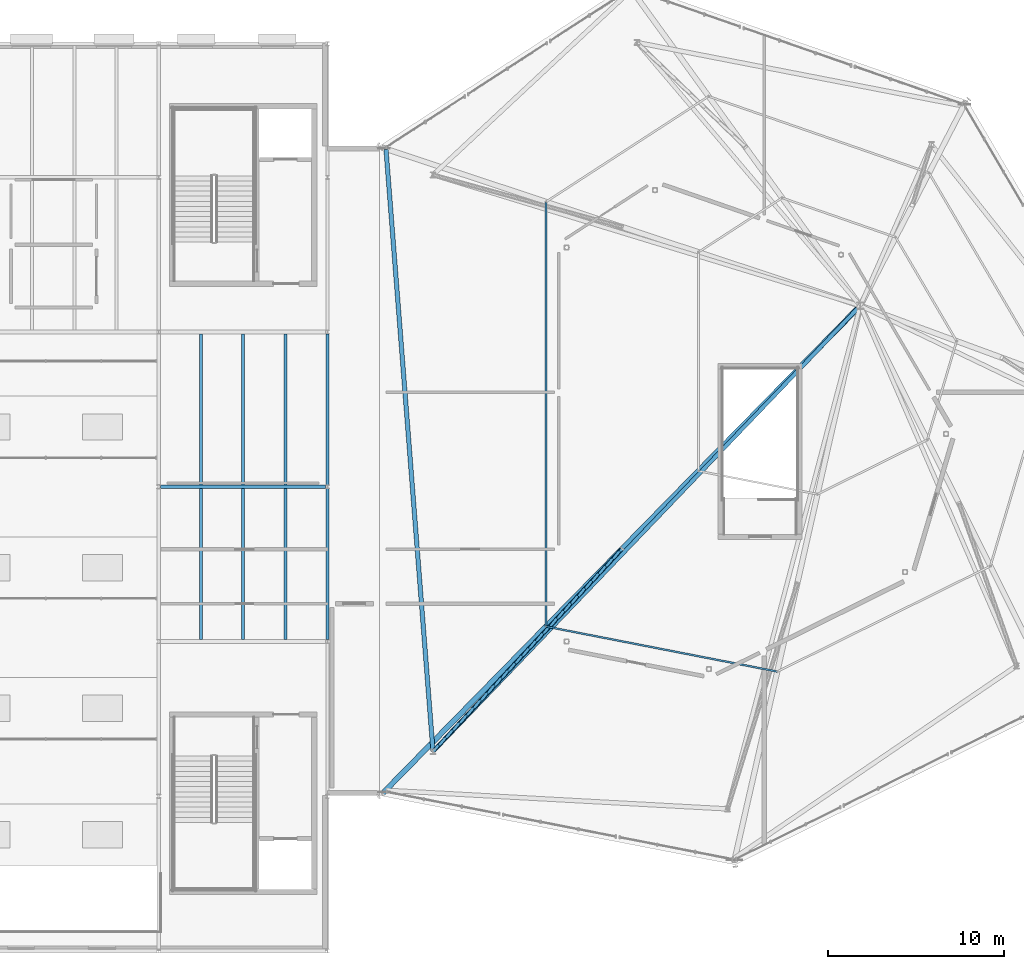
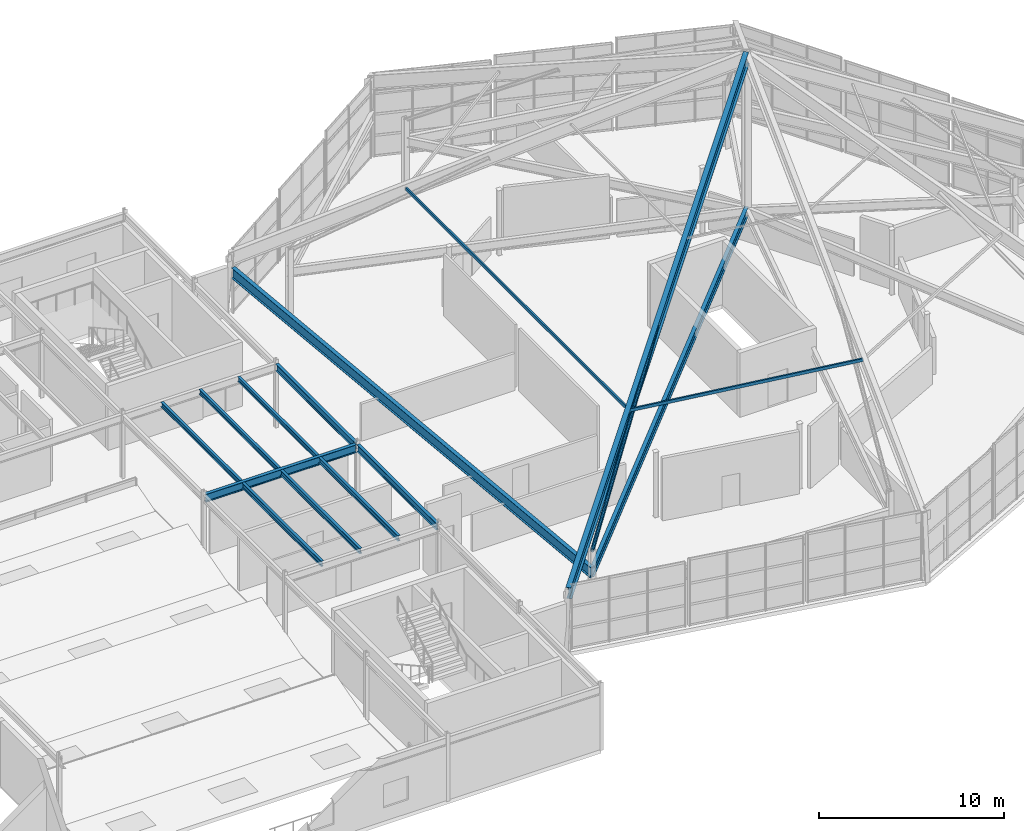
# One storey, part 14 of 50: 12 beams, 3 members.
"""IFC4 building model written with IfcOpenShell, lengths in metres."""

from ifc_helpers import new_model, si_unit, direction, frame, origin, origin_2d, place, context, subcontext, project, spatial, hollow_rectangle, hollow_circle, i_section, extrude, material, material_profile, profile_set, type_object, element, save


model = new_model("IFC4")

# Units and contexts
model_context = context("Model", 3, precision=1e-05, world=origin(), true_north=direction((0.0, 1.0)))
body_context = subcontext(model_context, "Body", "Model", "MODEL_VIEW")
ifc_project = project(units=[si_unit("LENGTHUNIT", "METRE"), si_unit("AREAUNIT", "SQUARE_METRE"), si_unit("VOLUMEUNIT", "CUBIC_METRE"), si_unit("PLANEANGLEUNIT", "RADIAN"), si_unit("MASSUNIT", "GRAM", prefix="KILO")], contexts=[model_context])

# Site, building, storey
site_placement = place(None, origin())
site = spatial("IfcSite", under=ifc_project, at=site_placement, CompositionType="ELEMENT")
building_placement = place(site_placement, origin())
building = spatial("IfcBuilding", under=site, at=building_placement, Name="Sarnbrook Museum", CompositionType="ELEMENT")
storey_placement = place(building_placement, frame((0.0, 0.0, 28.10009765625)))
storey = spatial("IfcBuildingStorey", under=building, at=storey_placement, Name="L05", CompositionType="ELEMENT", Elevation=28.10009765625)

# Beams
ifc_material_1 = material(Name="Structural Steel Grade 300PLUS (AS/NZS 3679.1, fy = 280 MPa for 17 < t <= 40 mm, 300 MPa for t <= 17 mm)", Category="steel")
ifc_material_profile_1 = material_profile(ifc_material_1, i_section(OverallWidth=0.18994140625, OverallDepth=0.45703125, WebThickness=0.009033203125, FlangeThickness=0.014404296875, FilletRadius=0.011474609375, at=origin_2d()), Name="460UB74.6")
ifc_profile_set_1 = profile_set([ifc_material_profile_1], Name="Structural Steel Grade 300PLUS (AS/NZS 3679.1, fy = 280 MPa for 17 < t <= 40 mm, 300 MPa for t <= 17 mm)")
beam_type_1 = type_object("IfcBeamType", Name="BM-UB460", PredefinedType="BEAM", material=ifc_profile_set_1)
for number, where, z_axis, x_axis, name in (
    (1, (119.199951171875, 74.5048828125, 4.021484375), (0.0, 1.0, 0.0), (-1.0, 0.0, 0.0), "Girder 13:J-K L05"),
    (2, (119.199951171875, 83.304931640625, 4.021484375), (0.0, 1.0, 0.0), (-1.0, 0.0, 0.0), "Girder 13:K-L L05"),
):
    element("IfcBeam", number, at=place(storey_placement, frame(where, z_axis=z_axis, x_axis=x_axis)), inside=storey, type_object=beam_type_1, Name=name, PredefinedType="BEAM", context=body_context, shape_type="SweptSolid", body=[
        extrude(i_section(OverallWidth=0.18994140625, OverallDepth=0.45703125, WebThickness=0.009033203125, FlangeThickness=0.014404296875, FilletRadius=0.011474609375, at=origin_2d()), origin(), (0.0, 0.0, 1.0), 8.590087890625),
    ])
ifc_material_profile_2 = material_profile(ifc_material_1, i_section(OverallWidth=0.208984375, OverallDepth=0.532958984375, WebThickness=0.01025390625, FlangeThickness=0.015625, FilletRadius=0.013916015625, at=origin_2d()), Name="530UB92.4")
ifc_profile_set_2 = profile_set([ifc_material_profile_2], Name="Structural Steel Grade 300PLUS (AS/NZS 3679.1, fy = 280 MPa for 17 < t <= 40 mm, 300 MPa for t <= 17 mm)")
beam_type_2 = type_object("IfcBeamType", Name="BM-UB530", PredefinedType="BEAM", material=ifc_profile_set_2)
beam_1_placement = place(storey_placement, frame((109.702392578125, 83.199951171875, 3.9833984375), z_axis=(1.0, 0.0, 0.0), x_axis=(0.0, 1.0, 0.0)))
element("IfcBeam", 3, at=beam_1_placement, inside=storey, type_object=beam_type_2, Name="Girder K:12-13 L05", PredefinedType="BEAM", context=body_context, shape_type="SweptSolid", body=[
    extrude(i_section(OverallWidth=0.208984375, OverallDepth=0.532958984375, WebThickness=0.01025390625, FlangeThickness=0.015625, FilletRadius=0.013916015625, at=origin_2d()), origin(), (0.0, 0.0, 1.0), 9.39501953125),
])
ifc_material_profile_3 = material_profile(ifc_material_1, i_section(OverallWidth=0.22802734375, OverallDepth=0.60693359375, WebThickness=0.01123046875, FlangeThickness=0.017333984375, FilletRadius=0.013916015625, at=origin_2d()), Name="610UB113")
ifc_profile_set_3 = profile_set([ifc_material_profile_3], Name="Structural Steel Grade 300PLUS (AS/NZS 3679.1, fy = 280 MPa for 17 < t <= 40 mm, 300 MPa for t <= 17 mm)")
beam_type_3 = type_object("IfcBeamType", Name="BM-UB610", PredefinedType="BEAM", material=ifc_profile_set_3)
beam_2_placement = place(storey_placement, frame((125.199951171875, 68.143310546875, 2.75), z_axis=(0.691903702423, 0.721989796724, 0.0), x_axis=(-0.721989796724, 0.691903702423, 0.0)))
element("IfcBeam", 4, at=beam_2_placement, inside=storey, type_object=beam_type_3, Name="Crystal Roof Hub Tie Girder ST-1", PredefinedType="BEAM", context=body_context, shape_type="SweptSolid", body=[
    extrude(i_section(OverallWidth=0.22802734375, OverallDepth=0.60693359375, WebThickness=0.01123046875, FlangeThickness=0.017333984375, FilletRadius=0.013916015625, at=origin_2d()), origin(), (0.0, 0.0, 1.0), 35.12060546875),
])
ifc_material_2 = material(Name="Structural Steel Grade 350L0 (AS/NZS 3678, fy = 340 MPa for 20 < t <= 40 mm)", Category="steel")
ifc_material_profile_4 = material_profile(ifc_material_2, i_section(OverallWidth=0.25, OverallDepth=0.699951171875, WebThickness=0.010009765625, FlangeThickness=0.01611328125, at=origin_2d()), Name="700WB130")
ifc_profile_set_4 = profile_set([ifc_material_profile_4], Name="Structural Steel Grade 350L0 (AS/NZS 3678, fy = 340 MPa for 20 < t <= 40 mm)")
beam_type_4 = type_object("IfcBeamType", Name="BM-WB700", PredefinedType="BEAM", material=ifc_profile_set_4)
beam_3_placement = place(storey_placement, frame((122.524169921875, 102.394287109375, 2.75), z_axis=(0.077885460034, -0.996962313789, 0.0), x_axis=(0.996962313789, 0.077885460034, 0.0)))
element("IfcBeam", 5, at=beam_3_placement, inside=storey, type_object=beam_type_4, Name="Crystal Roof Eaves Tie Girder ST-7", PredefinedType="BEAM", context=body_context, shape_type="SweptSolid", body=[
    extrude(i_section(OverallWidth=0.25, OverallDepth=0.699951171875, WebThickness=0.010009765625, FlangeThickness=0.01611328125, at=origin_2d()), origin(), (0.0, 0.0, 1.0), 34.355224609375),
])
ifc_material_profile_5 = material_profile(ifc_material_2, i_section(OverallWidth=0.300048828125, OverallDepth=0.89990234375, WebThickness=0.011962890625, FlangeThickness=0.02001953125, at=origin_2d()), Name="900WB175")
ifc_profile_set_5 = profile_set([ifc_material_profile_5], Name="Structural Steel Grade 350L0 (AS/NZS 3678, fy = 340 MPa for 20 < t <= 40 mm)")
beam_type_5 = type_object("IfcBeamType", Name="BM-WB900", PredefinedType="BEAM", material=ifc_profile_set_5)
beam_4_placement = place(storey_placement, frame((122.4189453125, 65.85205078125, 3.719970703125), z_axis=(0.680774193302, 0.69502501077, 0.231271987362), x_axis=(-0.714392818446, 0.699744882763, 0.0)))
element("IfcBeam", 6, at=beam_4_placement, inside=storey, type_object=beam_type_5, Name="Crystal Sawtooth Roof Rafter ST-1", PredefinedType="BEAM", context=body_context, shape_type="SweptSolid", body=[
    extrude(i_section(OverallWidth=0.300048828125, OverallDepth=0.89990234375, WebThickness=0.011962890625, FlangeThickness=0.02001953125, at=origin_2d()), origin(), (0.0, 0.0, 1.0), 39.77978515625),
])
ifc_material_profile_6 = material_profile(ifc_material_1, i_section(OverallWidth=0.166015625, OverallDepth=0.306884765625, WebThickness=0.006591796875, FlangeThickness=0.01171875, FilletRadius=0.011474609375, at=origin_2d()), Name="310UB46.2")
ifc_profile_set_6 = profile_set([ifc_material_profile_6], Name="Structural Steel Grade 300PLUS (AS/NZS 3679.1, fy = 280 MPa for 17 < t <= 40 mm, 300 MPa for t <= 17 mm)")
beam_type_6 = type_object("IfcBeamType", Name="JS-UB310H", PredefinedType="JOIST", material=ifc_profile_set_6)
for number, where, z_axis, x_axis, name in (
    (7, (112.0, 83.304443359375, 4.096435546875), (0.0, 1.0, 0.0), (-1.0, 0.0, 0.0), "Composite Floor Joist 12K-1 L05"),
    (8, (114.39990234375, 83.304443359375, 4.096435546875), (0.0, 1.0, 0.0), (-1.0, 0.0, 0.0), "Composite Floor Joist 12K-2 L05"),
    (9, (116.800048828125, 83.304443359375, 4.096435546875), (0.0, 1.0, 0.0), (-1.0, 0.0, 0.0), "Composite Floor Joist 12K-3 L05"),
):
    element("IfcBeam", number, at=place(storey_placement, frame(where, z_axis=z_axis, x_axis=x_axis)), inside=storey, type_object=beam_type_6, Name=name, PredefinedType="JOIST", context=body_context, shape_type="SweptSolid", body=[
        extrude(i_section(OverallWidth=0.166015625, OverallDepth=0.306884765625, WebThickness=0.006591796875, FlangeThickness=0.01171875, FilletRadius=0.011474609375, at=origin_2d()), origin(), (0.0, 0.0, 1.0), 8.591064453125),
    ])
ifc_material_profile_7 = material_profile(ifc_material_1, i_section(OverallWidth=0.1708984375, OverallDepth=0.35595703125, WebThickness=0.00732421875, FlangeThickness=0.011474609375, FilletRadius=0.011474609375, at=origin_2d()), Name="360UB50.7")
ifc_profile_set_7 = profile_set([ifc_material_profile_7], Name="Structural Steel Grade 300PLUS (AS/NZS 3679.1, fy = 280 MPa for 17 < t <= 40 mm, 300 MPa for t <= 17 mm)")
beam_type_7 = type_object("IfcBeamType", Name="JS-UB360", PredefinedType="JOIST", material=ifc_profile_set_7)
for number, where, z_axis, x_axis, name in (
    (10, (112.0, 74.50439453125, 4.072021484375), (0.0, 1.0, 0.0), (-1.0, 0.0, 0.0), "Composite Floor Joist 12J-1 L05"),
    (11, (114.39990234375, 74.50439453125, 4.072021484375), (0.0, 1.0, 0.0), (-1.0, 0.0, 0.0), "Composite Floor Joist 12J-2 L05"),
    (12, (116.800048828125, 74.50439453125, 4.072021484375), (0.0, 1.0, 0.0), (-1.0, 0.0, 0.0), "Composite Floor Joist 12J-3 L05"),
):
    element("IfcBeam", number, at=place(storey_placement, frame(where, z_axis=z_axis, x_axis=x_axis)), inside=storey, type_object=beam_type_7, Name=name, PredefinedType="JOIST", context=body_context, shape_type="SweptSolid", body=[
        extrude(i_section(OverallWidth=0.1708984375, OverallDepth=0.35595703125, WebThickness=0.00732421875, FlangeThickness=0.011474609375, FilletRadius=0.011474609375, at=origin_2d()), origin(), (0.0, 0.0, 1.0), 8.591064453125),
    ])

# Members
ifc_material_3 = material(Name="Structural Steel Hollow Section Grade C350L0 (AS/NZS 1163, fy = 350 MPa)", Category="steel")
ifc_material_profile_8 = material_profile(ifc_material_3, hollow_circle(Radius=0.109619140625, WallThickness=0.00830078125, at=origin_2d()), Name="219.1x8.2CHS")
ifc_profile_set_8 = profile_set([ifc_material_profile_8], Name="Structural Steel Hollow Section Grade C350L0 (AS/NZS 1163, fy = 350 MPa)")
member_type_1 = type_object("IfcMemberType", Name="MB-CHS219", PredefinedType="BRACE", material=ifc_profile_set_8)
member_1_placement = place(storey_placement, frame((125.199951171875, 68.143310546875, 4.14990234375), z_axis=(0.659511431753, 0.706904790296, 0.255597904616), x_axis=(-0.731192688474, 0.682170984668, 0.0)))
element("IfcMember", 13, at=member_1_placement, inside=storey, type_object=member_type_1, Name="Crystal Sawtooth Truss Web Strut ST-1", PredefinedType="BRACE", context=body_context, shape_type="SweptSolid", body=[
    extrude(hollow_circle(Radius=0.109619140625, WallThickness=0.00830078125, at=origin_2d()), origin(), (0.0, 0.0, 1.0), 16.314453125),
])
ifc_material_profile_9 = material_profile(ifc_material_3, hollow_rectangle(XDim=0.10009765625, YDim=0.199951171875, WallThickness=0.008056640625, at=origin_2d()), Name="200x100x8.0RHS")
ifc_profile_set_9 = profile_set([ifc_material_profile_9], Name="Structural Steel Hollow Section Grade C350L0 (AS/NZS 1163, fy = 350 MPa)")
member_type_2 = type_object("IfcMemberType", Name="PR-RHS200", PredefinedType="PURLIN", material=ifc_profile_set_9)
member_2_placement = place(storey_placement, frame((131.62646484375, 75.25244140625, 6.907958984375), z_axis=(0.981287459147, -0.191270364341, 0.022148820402), x_axis=(0.191317297384, 0.981528242957, 0.0)))
element("IfcMember", 14, at=member_2_placement, inside=storey, type_object=member_type_2, Name="Crystal Roof Purlin 1-1", PredefinedType="PURLIN", context=body_context, shape_type="SweptSolid", body=[
    extrude(hollow_rectangle(XDim=0.10009765625, YDim=0.199951171875, WallThickness=0.008056640625, at=origin_2d()), origin(), (0.0, 0.0, 1.0), 13.403564453125),
])
member_3_placement = place(storey_placement, frame((131.62646484375, 99.407958984375, 6.907958984375), z_axis=(0.0, -1.0, 0.0), x_axis=(1.0, 0.0, 0.0)))
element("IfcMember", 15, at=member_3_placement, inside=storey, type_object=member_type_2, Name="Crystal Roof Purlin 7-1", PredefinedType="PURLIN", context=body_context, shape_type="SweptSolid", body=[
    extrude(hollow_rectangle(XDim=0.10009765625, YDim=0.199951171875, WallThickness=0.008056640625, at=origin_2d()), origin(), (0.0, 0.0, 1.0), 24.155517578125),
])

save(model, "model.ifc")
